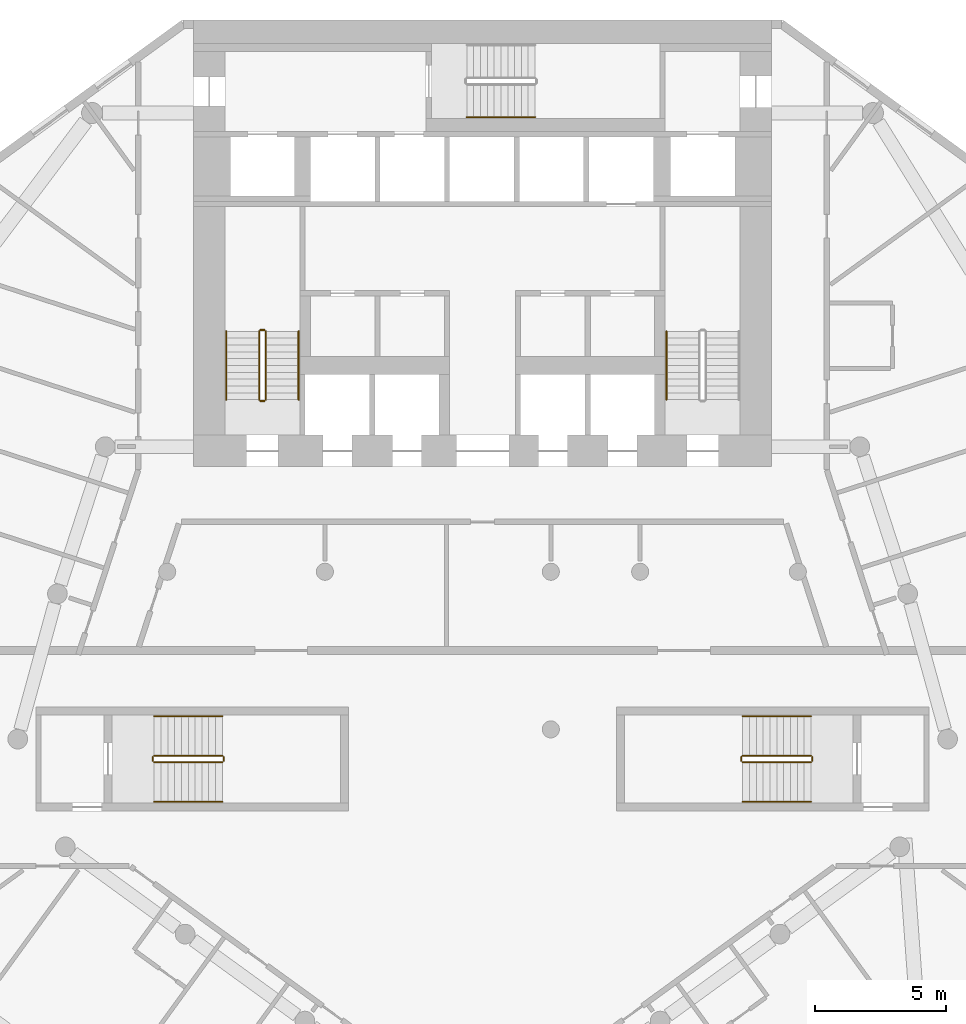
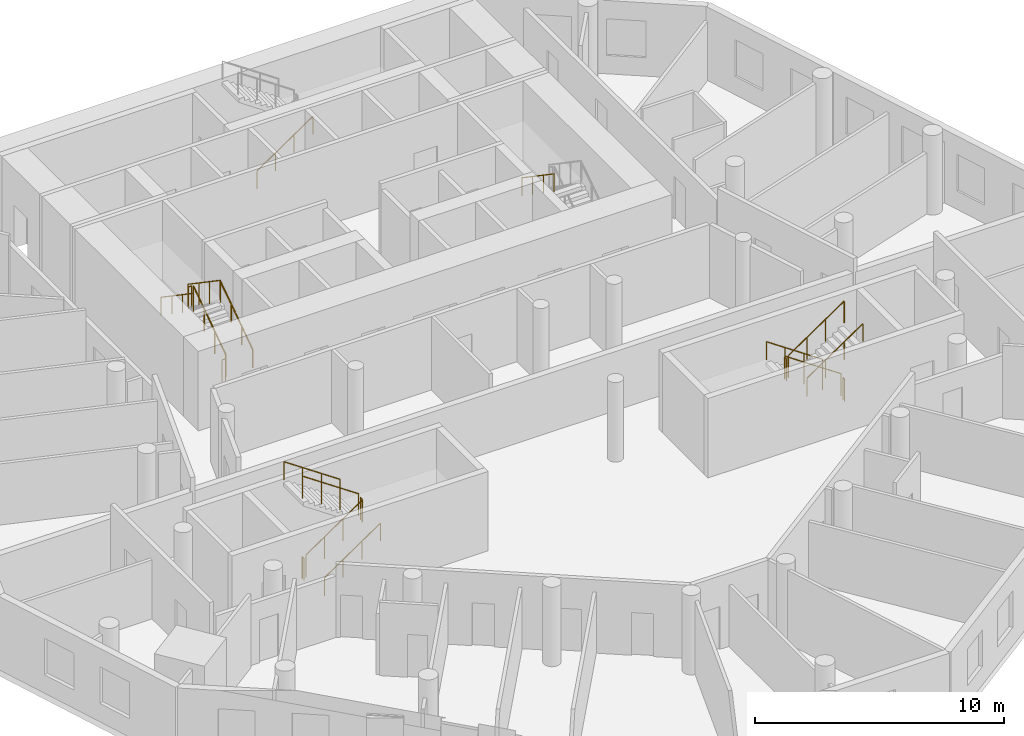
# One storey, part 8 of 9: 20 railings.
"""IFC4 building model written with IfcOpenShell, lengths in metres."""

from ifc_helpers import new_model, si_unit, direction, frame, origin, origin_2d, place, context, subcontext, project, spatial, circle, extrude, material, type_object, element, save


model = new_model("IFC4")

# Units and contexts
model_context = context("Model", 3, precision=1e-05, world=origin(), true_north=direction((0.0, 1.0)))
body_context = subcontext(model_context, "Body", "Model", "MODEL_VIEW")
ifc_project = project(units=[si_unit("LENGTHUNIT", "METRE"), si_unit("AREAUNIT", "SQUARE_METRE"), si_unit("VOLUMEUNIT", "CUBIC_METRE"), si_unit("PLANEANGLEUNIT", "RADIAN"), si_unit("MASSUNIT", "GRAM", prefix="KILO")], contexts=[model_context])

# Site, building, storey
site_placement = place(None, origin())
site = spatial("IfcSite", under=ifc_project, at=site_placement, CompositionType="ELEMENT")
building_placement = place(site_placement, origin())
building = spatial("IfcBuilding", under=site, at=building_placement, Name="White Candle Pilgrim Tower", CompositionType="ELEMENT")
storey_placement = place(building_placement, frame((0.0, 0.0, 46.800048828125)))
storey = spatial("IfcBuildingStorey", under=building, at=storey_placement, Name="L08", CompositionType="ELEMENT", Elevation=46.800048828125)

# Railings
ifc_material = material(Name="Stainless steel", Category="steel")
railing_type_1 = type_object("IfcRailingType", Name="Stair guard stainless steel 1100 mm", PredefinedType="GUARDRAIL", material=ifc_material)
railing_1_placement = place(storey_placement, frame((61.75, 73.550048828125, 0.17724609375)))
element("IfcRailing", 1, at=railing_1_placement, inside=storey, type_object=railing_type_1, Name="L08 ST1 stair guard 1", PredefinedType="GUARDRAIL", context=body_context, shape_type="SweptSolid", body=[
    extrude(circle(Radius=0.02392578125, at=origin_2d()), frame((0.0, 0.0, 1.076171875), z_axis=(0.0, 0.826215852431, 0.563353676824), x_axis=(-1.0, 0.0, 0.0)), (0.0, 0.0, 1.0), 3.146728515625),
    extrude(circle(Radius=0.02099609375, at=origin_2d()), origin(), (0.0, 0.0, 1.0), 1.052001953125),
    extrude(circle(Radius=0.02099609375, at=origin_2d()), frame((0.0, 0.86669921875, 0.5908203125)), (0.0, 0.0, 1.0), 1.052001953125),
    extrude(circle(Radius=0.02099609375, at=origin_2d()), frame((0.0, 1.733154296875, 1.181884765625)), (0.0, 0.0, 1.0), 1.052001953125),
    extrude(circle(Radius=0.02099609375, at=origin_2d()), frame((0.0, 2.599853515625, 1.772705078125)), (0.0, 0.0, 1.0), 1.052001953125),
])
railing_2_placement = place(storey_placement, frame((61.699951171875, 76.199951171875, 1.949951171875)))
element("IfcRailing", 2, at=railing_2_placement, inside=storey, type_object=railing_type_1, Name="L08 ST1 stair guard 2", PredefinedType="GUARDRAIL", context=body_context, shape_type="SweptSolid", body=[
    extrude(circle(Radius=0.02392578125, at=origin_2d()), frame((0.0, 0.0, 1.076171875), z_axis=(-1.0, 0.0, 0.0), x_axis=(0.0, -1.0, 0.0)), (0.0, 0.0, 1.0), 0.14990234375),
    extrude(circle(Radius=0.02099609375, at=origin_2d()), origin(), (0.0, 0.0, 1.0), 1.052001953125),
    extrude(circle(Radius=0.02099609375, at=origin_2d()), frame((-0.14990234375, 0.0, 0.0)), (0.0, 0.0, 1.0), 1.052001953125),
])
railing_3_placement = place(storey_placement, frame((61.5, 76.14990234375, 2.127197265625)))
element("IfcRailing", 3, at=railing_3_placement, inside=storey, type_object=railing_type_1, Name="L08 ST1 stair guard 3", PredefinedType="GUARDRAIL", context=body_context, shape_type="SweptSolid", body=[
    extrude(circle(Radius=0.02392578125, at=origin_2d()), frame((0.0, 0.0, 1.076171875), z_axis=(0.0, -0.826215852431, 0.563353676824), x_axis=(1.0, 0.0, 0.0)), (0.0, 0.0, 1.0), 3.146728515625),
    extrude(circle(Radius=0.02099609375, at=origin_2d()), origin(), (0.0, 0.0, 1.0), 1.052001953125),
    extrude(circle(Radius=0.02099609375, at=origin_2d()), frame((0.0, -0.86669921875, 0.5908203125)), (0.0, 0.0, 1.0), 1.052001953125),
    extrude(circle(Radius=0.02099609375, at=origin_2d()), frame((0.0, -1.733154296875, 1.181884765625)), (0.0, 0.0, 1.0), 1.052001953125),
    extrude(circle(Radius=0.02099609375, at=origin_2d()), frame((0.0, -2.599853515625, 1.772705078125)), (0.0, 0.0, 1.0), 1.052001953125),
])
railing_4_placement = place(storey_placement, frame((61.699951171875, 73.5, 0.0)))
element("IfcRailing", 4, at=railing_4_placement, inside=storey, type_object=railing_type_1, Name="L08 ST1 stair guard 4", PredefinedType="GUARDRAIL", context=body_context, shape_type="SweptSolid", body=[
    extrude(circle(Radius=0.02392578125, at=origin_2d()), frame((0.0, 0.0, 1.076171875), z_axis=(-1.0, 0.0, 0.0), x_axis=(0.0, -1.0, 0.0)), (0.0, 0.0, 1.0), 0.14990234375),
    extrude(circle(Radius=0.02099609375, at=origin_2d()), origin(), (0.0, 0.0, 1.0), 1.052001953125),
    extrude(circle(Radius=0.02099609375, at=origin_2d()), frame((-0.14990234375, 0.0, 0.0)), (0.0, 0.0, 1.0), 1.052001953125),
])
railing_5_placement = place(storey_placement, frame((82.5, 60.0, 0.17724609375)))
element("IfcRailing", 5, at=railing_5_placement, inside=storey, type_object=railing_type_1, Name="L08 ST4 stair guard 1", PredefinedType="GUARDRAIL", context=body_context, shape_type="SweptSolid", body=[
    extrude(circle(Radius=0.02392578125, at=origin_2d()), frame((0.0, 0.0, 1.076171875), z_axis=(-0.826240473404, 0.0, 0.563317565952), x_axis=(0.0, -1.0, 0.0)), (0.0, 0.0, 1.0), 3.14697265625),
    extrude(circle(Radius=0.02099609375, at=origin_2d()), origin(), (0.0, 0.0, 1.0), 1.052001953125),
    extrude(circle(Radius=0.02099609375, at=origin_2d()), frame((-0.86669921875, 0.0, 0.5908203125)), (0.0, 0.0, 1.0), 1.052001953125),
    extrude(circle(Radius=0.02099609375, at=origin_2d()), frame((-1.7333984375, 0.0, 1.181884765625)), (0.0, 0.0, 1.0), 1.052001953125),
    extrude(circle(Radius=0.02099609375, at=origin_2d()), frame((-2.60009765625, 0.0, 1.772705078125)), (0.0, 0.0, 1.0), 1.052001953125),
])
railing_6_placement = place(storey_placement, frame((79.85009765625, 59.949951171875, 1.949951171875)))
element("IfcRailing", 6, at=railing_6_placement, inside=storey, type_object=railing_type_1, Name="L08 ST4 stair guard 2", PredefinedType="GUARDRAIL", context=body_context, shape_type="SweptSolid", body=[
    extrude(circle(Radius=0.02392578125, at=origin_2d()), frame((0.0, 0.0, 1.076171875), z_axis=(0.0, -1.0, 0.0), x_axis=(1.0, 0.0, 0.0)), (0.0, 0.0, 1.0), 0.14990234375),
    extrude(circle(Radius=0.02099609375, at=origin_2d()), origin(), (0.0, 0.0, 1.0), 1.052001953125),
    extrude(circle(Radius=0.02099609375, at=origin_2d()), frame((0.0, -0.14990234375, 0.0)), (0.0, 0.0, 1.0), 1.052001953125),
])
railing_7_placement = place(storey_placement, frame((79.89990234375, 59.75, 2.127197265625)))
element("IfcRailing", 7, at=railing_7_placement, inside=storey, type_object=railing_type_1, Name="L08 ST4 stair guard 3", PredefinedType="GUARDRAIL", context=body_context, shape_type="SweptSolid", body=[
    extrude(circle(Radius=0.02392578125, at=origin_2d()), frame((0.0, 0.0, 1.076171875), z_axis=(0.826240473404, 0.0, 0.563317565952), x_axis=(0.0, 1.0, 0.0)), (0.0, 0.0, 1.0), 3.14697265625),
    extrude(circle(Radius=0.02099609375, at=origin_2d()), origin(), (0.0, 0.0, 1.0), 1.052001953125),
    extrude(circle(Radius=0.02099609375, at=origin_2d()), frame((0.86669921875, 0.0, 0.5908203125)), (0.0, 0.0, 1.0), 1.052001953125),
    extrude(circle(Radius=0.02099609375, at=origin_2d()), frame((1.7333984375, 0.0, 1.181884765625)), (0.0, 0.0, 1.0), 1.052001953125),
    extrude(circle(Radius=0.02099609375, at=origin_2d()), frame((2.60009765625, 0.0, 1.772705078125)), (0.0, 0.0, 1.0), 1.052001953125),
])
railing_8_placement = place(storey_placement, frame((82.550048828125, 59.949951171875, 0.0)))
element("IfcRailing", 8, at=railing_8_placement, inside=storey, type_object=railing_type_1, Name="L08 ST4 stair guard 4", PredefinedType="GUARDRAIL", context=body_context, shape_type="SweptSolid", body=[
    extrude(circle(Radius=0.02392578125, at=origin_2d()), frame((0.0, 0.0, 1.076171875), z_axis=(0.0, -1.0, 0.0), x_axis=(1.0, 0.0, 0.0)), (0.0, 0.0, 1.0), 0.14990234375),
    extrude(circle(Radius=0.02099609375, at=origin_2d()), origin(), (0.0, 0.0, 1.0), 1.052001953125),
    extrude(circle(Radius=0.02099609375, at=origin_2d()), frame((0.0, -0.14990234375, 0.0)), (0.0, 0.0, 1.0), 1.052001953125),
])
railing_9_placement = place(storey_placement, frame((57.5, 59.75, 0.17724609375)))
element("IfcRailing", 9, at=railing_9_placement, inside=storey, type_object=railing_type_1, Name="L08 ST5 stair guard 1", PredefinedType="GUARDRAIL", context=body_context, shape_type="SweptSolid", body=[
    extrude(circle(Radius=0.02392578125, at=origin_2d()), frame((0.0, 0.0, 1.076171875), z_axis=(0.826240473404, 0.0, 0.563317565952), x_axis=(0.0, 1.0, 0.0)), (0.0, 0.0, 1.0), 3.14697265625),
    extrude(circle(Radius=0.02099609375, at=origin_2d()), origin(), (0.0, 0.0, 1.0), 1.052001953125),
    extrude(circle(Radius=0.02099609375, at=origin_2d()), frame((0.86669921875, 0.0, 0.5908203125)), (0.0, 0.0, 1.0), 1.052001953125),
    extrude(circle(Radius=0.02099609375, at=origin_2d()), frame((1.7333984375, 0.0, 1.181884765625)), (0.0, 0.0, 1.0), 1.052001953125),
    extrude(circle(Radius=0.02099609375, at=origin_2d()), frame((2.60009765625, 0.0, 1.772705078125)), (0.0, 0.0, 1.0), 1.052001953125),
])
railing_10_placement = place(storey_placement, frame((60.14990234375, 59.800048828125, 1.949951171875)))
element("IfcRailing", 10, at=railing_10_placement, inside=storey, type_object=railing_type_1, Name="L08 ST5 stair guard 2", PredefinedType="GUARDRAIL", context=body_context, shape_type="SweptSolid", body=[
    extrude(circle(Radius=0.02392578125, at=origin_2d()), frame((0.0, 0.0, 1.076171875), z_axis=(0.0, 1.0, 0.0), x_axis=(-1.0, 0.0, 0.0)), (0.0, 0.0, 1.0), 0.14990234375),
    extrude(circle(Radius=0.02099609375, at=origin_2d()), origin(), (0.0, 0.0, 1.0), 1.052001953125),
    extrude(circle(Radius=0.02099609375, at=origin_2d()), frame((0.0, 0.14990234375, 0.0)), (0.0, 0.0, 1.0), 1.052001953125),
])
railing_11_placement = place(storey_placement, frame((60.10009765625, 60.0, 2.127197265625)))
element("IfcRailing", 11, at=railing_11_placement, inside=storey, type_object=railing_type_1, Name="L08 ST5 stair guard 3", PredefinedType="GUARDRAIL", context=body_context, shape_type="SweptSolid", body=[
    extrude(circle(Radius=0.02392578125, at=origin_2d()), frame((0.0, 0.0, 1.076171875), z_axis=(-0.826240473404, 0.0, 0.563317565952), x_axis=(0.0, -1.0, 0.0)), (0.0, 0.0, 1.0), 3.14697265625),
    extrude(circle(Radius=0.02099609375, at=origin_2d()), origin(), (0.0, 0.0, 1.0), 1.052001953125),
    extrude(circle(Radius=0.02099609375, at=origin_2d()), frame((-0.86669921875, 0.0, 0.5908203125)), (0.0, 0.0, 1.0), 1.052001953125),
    extrude(circle(Radius=0.02099609375, at=origin_2d()), frame((-1.7333984375, 0.0, 1.181884765625)), (0.0, 0.0, 1.0), 1.052001953125),
    extrude(circle(Radius=0.02099609375, at=origin_2d()), frame((-2.60009765625, 0.0, 1.772705078125)), (0.0, 0.0, 1.0), 1.052001953125),
])
railing_12_placement = place(storey_placement, frame((57.449951171875, 59.800048828125, 0.0)))
element("IfcRailing", 12, at=railing_12_placement, inside=storey, type_object=railing_type_1, Name="L08 ST5 stair guard 4", PredefinedType="GUARDRAIL", context=body_context, shape_type="SweptSolid", body=[
    extrude(circle(Radius=0.02392578125, at=origin_2d()), frame((0.0, 0.0, 1.076171875), z_axis=(0.0, 1.0, 0.0), x_axis=(-1.0, 0.0, 0.0)), (0.0, 0.0, 1.0), 0.14990234375),
    extrude(circle(Radius=0.02099609375, at=origin_2d()), origin(), (0.0, 0.0, 1.0), 1.052001953125),
    extrude(circle(Radius=0.02099609375, at=origin_2d()), frame((0.0, 0.14990234375, 0.0)), (0.0, 0.0, 1.0), 1.052001953125),
])
railing_type_2 = type_object("IfcRailingType", Name="Stair handrail stainless steel", PredefinedType="HANDRAIL", material=ifc_material)
railing_13_placement = place(storey_placement, frame((63.0, 73.550048828125, 0.17724609375)))
element("IfcRailing", 13, at=railing_13_placement, inside=storey, type_object=railing_type_2, Name="L08 ST1 stair handrail 1", PredefinedType="HANDRAIL", context=body_context, shape_type="SweptSolid", body=[
    extrude(circle(Radius=0.02392578125, at=origin_2d()), frame((0.0, 0.0, 0.8759765625), z_axis=(0.0, 0.826215852431, 0.563353676824), x_axis=(-1.0, 0.0, 0.0)), (0.0, 0.0, 1.0), 3.146728515625),
    extrude(circle(Radius=0.02099609375, at=origin_2d()), origin(), (0.0, 0.0, 1.0), 0.851806640625),
    extrude(circle(Radius=0.02099609375, at=origin_2d()), frame((0.0, 0.86669921875, 0.5908203125)), (0.0, 0.0, 1.0), 0.851806640625),
    extrude(circle(Radius=0.02099609375, at=origin_2d()), frame((0.0, 1.733154296875, 1.181884765625)), (0.0, 0.0, 1.0), 0.851806640625),
    extrude(circle(Radius=0.02099609375, at=origin_2d()), frame((0.0, 2.599853515625, 1.772705078125)), (0.0, 0.0, 1.0), 0.851806640625),
])
for number, where, name in (
    (14, (60.25, 76.14990234375, 2.127197265625), "L08 ST1 stair handrail 2"),
    (15, (77.0, 76.14990234375, 2.127197265625), "L08 ST2 stair handrail 2"),
):
    element("IfcRailing", number, at=place(storey_placement, frame(where)), inside=storey, type_object=railing_type_2, Name=name, PredefinedType="HANDRAIL", context=body_context, shape_type="SweptSolid", body=[
        extrude(circle(Radius=0.02392578125, at=origin_2d()), frame((0.0, 0.0, 0.8759765625), z_axis=(0.0, -0.826215852431, 0.563353676824), x_axis=(1.0, 0.0, 0.0)), (0.0, 0.0, 1.0), 3.146728515625),
        extrude(circle(Radius=0.02099609375, at=origin_2d()), origin(), (0.0, 0.0, 1.0), 0.851806640625),
        extrude(circle(Radius=0.02099609375, at=origin_2d()), frame((0.0, -0.86669921875, 0.5908203125)), (0.0, 0.0, 1.0), 0.851806640625),
        extrude(circle(Radius=0.02099609375, at=origin_2d()), frame((0.0, -1.733154296875, 1.181884765625)), (0.0, 0.0, 1.0), 0.851806640625),
        extrude(circle(Radius=0.02099609375, at=origin_2d()), frame((0.0, -2.599853515625, 1.772705078125)), (0.0, 0.0, 1.0), 0.851806640625),
    ])
railing_14_placement = place(storey_placement, frame((69.39990234375, 84.300048828125, 0.17724609375)))
element("IfcRailing", 16, at=railing_14_placement, inside=storey, type_object=railing_type_2, Name="L08 ST3 stair handrail 1", PredefinedType="HANDRAIL", context=body_context, shape_type="SweptSolid", body=[
    extrude(circle(Radius=0.02392578125, at=origin_2d()), frame((0.0, 0.0, 0.8759765625), z_axis=(0.826240473404, 0.0, 0.563317565952), x_axis=(0.0, 1.0, 0.0)), (0.0, 0.0, 1.0), 3.14697265625),
    extrude(circle(Radius=0.02099609375, at=origin_2d()), origin(), (0.0, 0.0, 1.0), 0.851806640625),
    extrude(circle(Radius=0.02099609375, at=origin_2d()), frame((0.86669921875, 0.0, 0.5908203125)), (0.0, 0.0, 1.0), 0.851806640625),
    extrude(circle(Radius=0.02099609375, at=origin_2d()), frame((1.7333984375, 0.0, 1.181884765625)), (0.0, 0.0, 1.0), 0.851806640625),
    extrude(circle(Radius=0.02099609375, at=origin_2d()), frame((2.60009765625, 0.0, 1.772705078125)), (0.0, 0.0, 1.0), 0.851806640625),
])
railing_15_placement = place(storey_placement, frame((82.5, 61.5, 0.17724609375)))
element("IfcRailing", 17, at=railing_15_placement, inside=storey, type_object=railing_type_2, Name="L08 ST4 stair handrail 1", PredefinedType="HANDRAIL", context=body_context, shape_type="SweptSolid", body=[
    extrude(circle(Radius=0.02392578125, at=origin_2d()), frame((0.0, 0.0, 0.8759765625), z_axis=(-0.826240473404, 0.0, 0.563317565952), x_axis=(0.0, -1.0, 0.0)), (0.0, 0.0, 1.0), 3.14697265625),
    extrude(circle(Radius=0.02099609375, at=origin_2d()), origin(), (0.0, 0.0, 1.0), 0.851806640625),
    extrude(circle(Radius=0.02099609375, at=origin_2d()), frame((-0.86669921875, 0.0, 0.5908203125)), (0.0, 0.0, 1.0), 0.851806640625),
    extrude(circle(Radius=0.02099609375, at=origin_2d()), frame((-1.7333984375, 0.0, 1.181884765625)), (0.0, 0.0, 1.0), 0.851806640625),
    extrude(circle(Radius=0.02099609375, at=origin_2d()), frame((-2.60009765625, 0.0, 1.772705078125)), (0.0, 0.0, 1.0), 0.851806640625),
])
for number, where, name in (
    (18, (79.89990234375, 58.25, 2.127197265625), "L08 ST4 stair handrail 2"),
    (19, (57.5, 58.25, 0.17724609375), "L08 ST5 stair handrail 1"),
):
    element("IfcRailing", number, at=place(storey_placement, frame(where)), inside=storey, type_object=railing_type_2, Name=name, PredefinedType="HANDRAIL", context=body_context, shape_type="SweptSolid", body=[
        extrude(circle(Radius=0.02392578125, at=origin_2d()), frame((0.0, 0.0, 0.8759765625), z_axis=(0.826240473404, 0.0, 0.563317565952), x_axis=(0.0, 1.0, 0.0)), (0.0, 0.0, 1.0), 3.14697265625),
        extrude(circle(Radius=0.02099609375, at=origin_2d()), origin(), (0.0, 0.0, 1.0), 0.851806640625),
        extrude(circle(Radius=0.02099609375, at=origin_2d()), frame((0.86669921875, 0.0, 0.5908203125)), (0.0, 0.0, 1.0), 0.851806640625),
        extrude(circle(Radius=0.02099609375, at=origin_2d()), frame((1.7333984375, 0.0, 1.181884765625)), (0.0, 0.0, 1.0), 0.851806640625),
        extrude(circle(Radius=0.02099609375, at=origin_2d()), frame((2.60009765625, 0.0, 1.772705078125)), (0.0, 0.0, 1.0), 0.851806640625),
    ])
railing_16_placement = place(storey_placement, frame((60.10009765625, 61.5, 2.127197265625)))
element("IfcRailing", 20, at=railing_16_placement, inside=storey, type_object=railing_type_2, Name="L08 ST5 stair handrail 2", PredefinedType="HANDRAIL", context=body_context, shape_type="SweptSolid", body=[
    extrude(circle(Radius=0.02392578125, at=origin_2d()), frame((0.0, 0.0, 0.8759765625), z_axis=(-0.826240473404, 0.0, 0.563317565952), x_axis=(0.0, -1.0, 0.0)), (0.0, 0.0, 1.0), 3.14697265625),
    extrude(circle(Radius=0.02099609375, at=origin_2d()), origin(), (0.0, 0.0, 1.0), 0.851806640625),
    extrude(circle(Radius=0.02099609375, at=origin_2d()), frame((-0.86669921875, 0.0, 0.5908203125)), (0.0, 0.0, 1.0), 0.851806640625),
    extrude(circle(Radius=0.02099609375, at=origin_2d()), frame((-1.7333984375, 0.0, 1.181884765625)), (0.0, 0.0, 1.0), 0.851806640625),
    extrude(circle(Radius=0.02099609375, at=origin_2d()), frame((-2.60009765625, 0.0, 1.772705078125)), (0.0, 0.0, 1.0), 0.851806640625),
])

save(model, "model.ifc")
